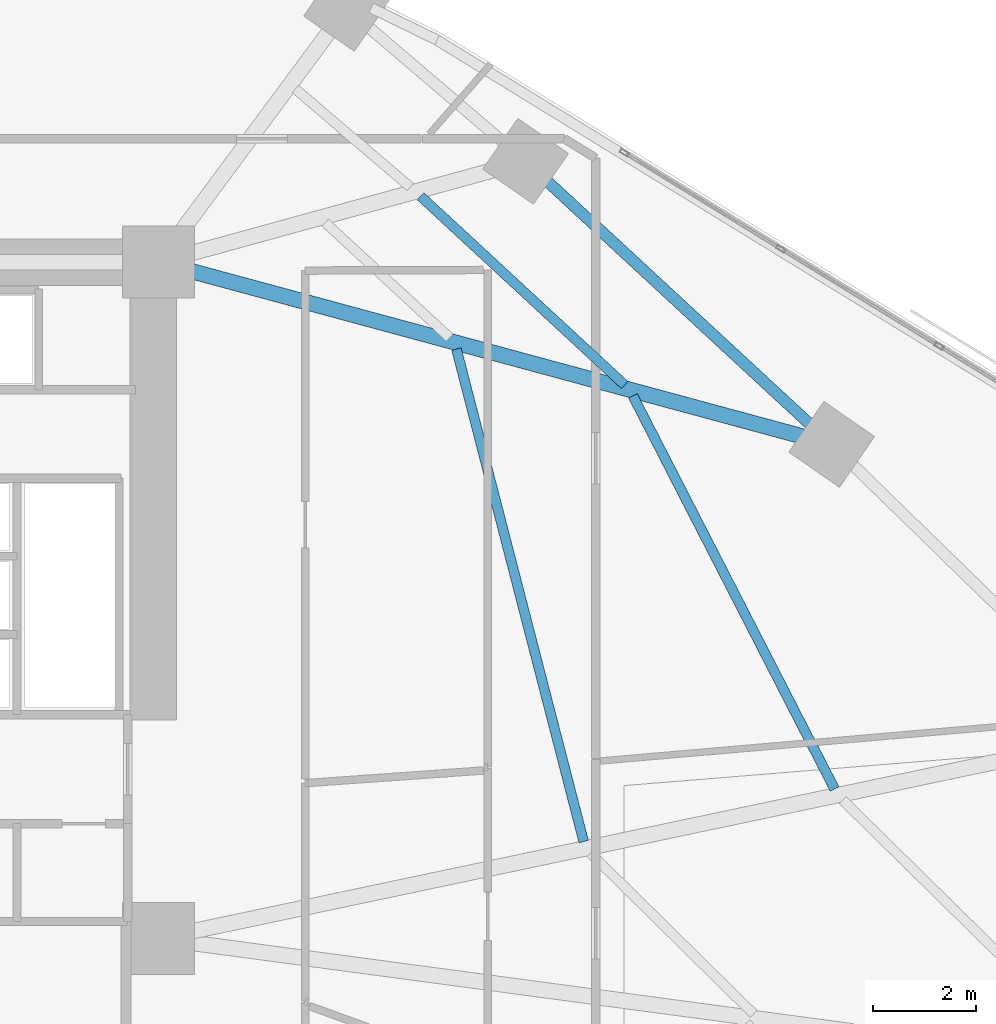
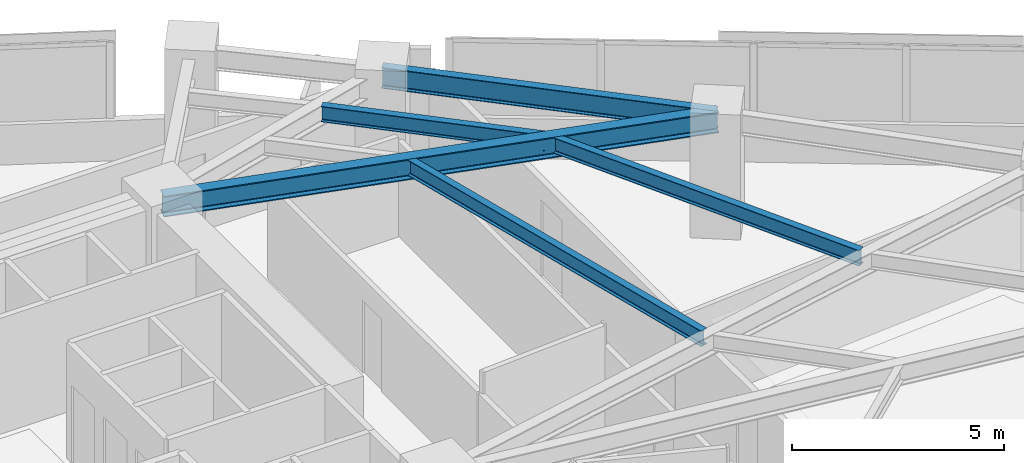
# One storey, part 5 of 18: 5 beams.
"""IFC4 building model written with IfcOpenShell, lengths in metres."""

from ifc_helpers import new_model, si_unit, direction, frame, origin, origin_2d, place, context, subcontext, project, spatial, i_section, extrude, material, material_profile, profile_set, type_object, element, save


model = new_model("IFC4")

# Units and contexts
model_context = context("Model", 3, precision=1e-05, world=origin(), true_north=direction((0.0, 1.0)))
body_context = subcontext(model_context, "Body", "Model", "MODEL_VIEW")
ifc_project = project(units=[si_unit("LENGTHUNIT", "METRE"), si_unit("AREAUNIT", "SQUARE_METRE"), si_unit("VOLUMEUNIT", "CUBIC_METRE"), si_unit("PLANEANGLEUNIT", "RADIAN"), si_unit("MASSUNIT", "GRAM", prefix="KILO")], contexts=[model_context])

# Site, building, storey
site_placement = place(None, origin())
site = spatial("IfcSite", under=ifc_project, at=site_placement, CompositionType="ELEMENT")
building_placement = place(site_placement, origin())
building = spatial("IfcBuilding", under=site, at=building_placement, Name="Narakoshi Arena Tower", CompositionType="ELEMENT")
storey_placement = place(building_placement, frame((0.0, 0.0, 120.89990234375)))
storey = spatial("IfcBuildingStorey", under=building, at=storey_placement, Name="L32", CompositionType="ELEMENT", Elevation=120.89990234375)

# Beams
ifc_material = material(Name="Structural steel S355J2", Category="steel")
ifc_material_profile_1 = material_profile(ifc_material, i_section(OverallWidth=0.219970703125, OverallDepth=0.60009765625, WebThickness=0.011962890625, FlangeThickness=0.01904296875, FilletRadius=0.02392578125, at=origin_2d()), Name="IPE600")
ifc_profile_set_1 = profile_set([ifc_material_profile_1], Name="Structural steel S355J2")
beam_type_1 = type_object("IfcBeamType", Name="BM-EDGE-600", PredefinedType="BEAM", material=ifc_profile_set_1)
beam_1_placement = place(storey_placement, frame((98.641357421875, 52.95849609375, 3.0400390625), z_axis=(-0.734140347065, 0.678997754643, 0.0), x_axis=(-0.678997754643, -0.734140347065, 0.0)))
element("IfcBeam", 1, at=beam_1_placement, inside=storey, type_object=beam_type_1, Name="L32 Perimeter Edge Girder 06", PredefinedType="BEAM", context=body_context, shape_type="SweptSolid", body=[
    extrude(i_section(OverallWidth=0.219970703125, OverallDepth=0.60009765625, WebThickness=0.011962890625, FlangeThickness=0.01904296875, FilletRadius=0.02392578125, at=origin_2d()), origin(), (0.0, 0.0, 1.0), 8.106689453125),
])
ifc_material_profile_2 = material_profile(ifc_material, i_section(OverallWidth=0.300048828125, OverallDepth=0.60009765625, WebThickness=0.015380859375, FlangeThickness=0.030029296875, FilletRadius=0.027099609375, at=origin_2d()), Name="HE600B")
ifc_profile_set_2 = profile_set([ifc_material_profile_2], Name="Structural steel S355J2")
beam_type_2 = type_object("IfcBeamType", Name="BM-PRI-600", PredefinedType="BEAM", material=ifc_profile_set_2)
beam_2_placement = place(storey_placement, frame((85.550048828125, 56.5, 3.0400390625), z_axis=(0.965301848216, -0.261136634408, 0.0), x_axis=(0.261136634408, 0.965301848216, 0.0)))
element("IfcBeam", 2, at=beam_2_placement, inside=storey, type_object=beam_type_2, Name="L32 Radial Primary Floor Girder 06", PredefinedType="BEAM", context=body_context, shape_type="SweptSolid", body=[
    extrude(i_section(OverallWidth=0.300048828125, OverallDepth=0.60009765625, WebThickness=0.015380859375, FlangeThickness=0.030029296875, FilletRadius=0.027099609375, at=origin_2d()), origin(), (0.0, 0.0, 1.0), 13.561767578125),
])
ifc_material_profile_3 = material_profile(ifc_material, i_section(OverallWidth=0.18994140625, OverallDepth=0.449951171875, WebThickness=0.009521484375, FlangeThickness=0.0146484375, FilletRadius=0.02099609375, at=origin_2d()), Name="IPE450")
ifc_profile_set_3 = profile_set([ifc_material_profile_3], Name="Structural steel S355J2")
beam_type_3 = type_object("IfcBeamType", Name="BM-SEC-450", PredefinedType="JOIST", material=ifc_profile_set_3)
beam_3_placement = place(storey_placement, frame((93.819091796875, 45.232177734375, 3.114990234375), z_axis=(-0.250175045667, 0.968200623076, 0.0), x_axis=(-0.968200623076, -0.250175045667, 0.0)))
element("IfcBeam", 3, at=beam_3_placement, inside=storey, type_object=beam_type_3, Name="L32 Composite Secondary Floor Joist 04", PredefinedType="JOIST", context=body_context, shape_type="SweptSolid", body=[
    extrude(i_section(OverallWidth=0.18994140625, OverallDepth=0.449951171875, WebThickness=0.009521484375, FlangeThickness=0.0146484375, FilletRadius=0.02099609375, at=origin_2d()), origin(), (0.0, 0.0, 1.0), 9.8935546875),
])
beam_4_placement = place(storey_placement, frame((98.69775390625, 46.256591796875, 3.114990234375), z_axis=(-0.45649835957, 0.88972425375, 0.0), x_axis=(-0.88972425375, -0.45649835957, 0.0)))
element("IfcBeam", 4, at=beam_4_placement, inside=storey, type_object=beam_type_3, Name="L32 Composite Secondary Floor Joist 05", PredefinedType="JOIST", context=body_context, shape_type="SweptSolid", body=[
    extrude(i_section(OverallWidth=0.18994140625, OverallDepth=0.449951171875, WebThickness=0.009521484375, FlangeThickness=0.0146484375, FilletRadius=0.02099609375, at=origin_2d()), origin(), (0.0, 0.0, 1.0), 8.591796875),
])
beam_5_placement = place(storey_placement, frame((94.614990234375, 54.11279296875, 3.114990234375), z_axis=(-0.734167550232, 0.678968341078, 0.0), x_axis=(-0.678968341078, -0.734167550232, 0.0)))
element("IfcBeam", 5, at=beam_5_placement, inside=storey, type_object=beam_type_3, Name="L32 Composite Secondary Floor Joist 07", PredefinedType="JOIST", context=body_context, shape_type="SweptSolid", body=[
    extrude(i_section(OverallWidth=0.18994140625, OverallDepth=0.449951171875, WebThickness=0.009521484375, FlangeThickness=0.0146484375, FilletRadius=0.02099609375, at=origin_2d()), origin(), (0.0, 0.0, 1.0), 5.40478515625),
])

save(model, "model.ifc")
